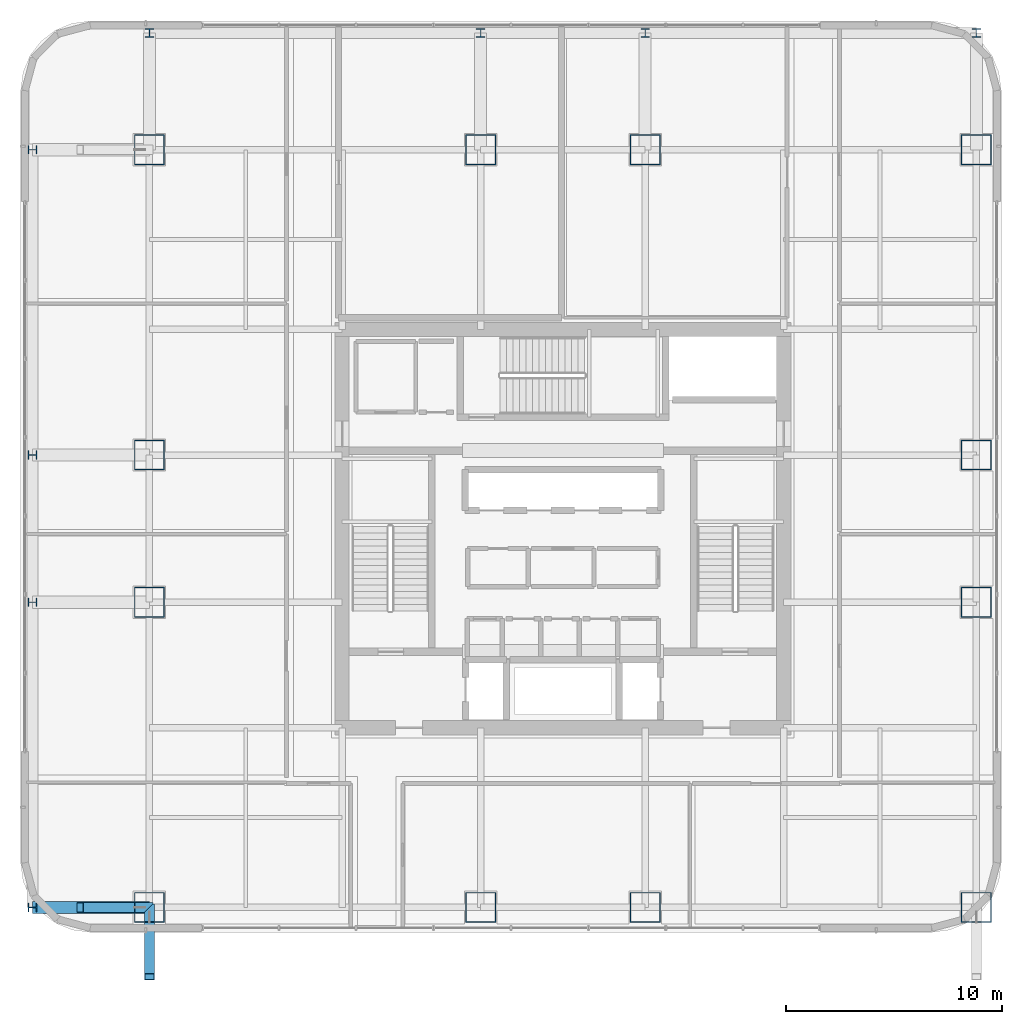
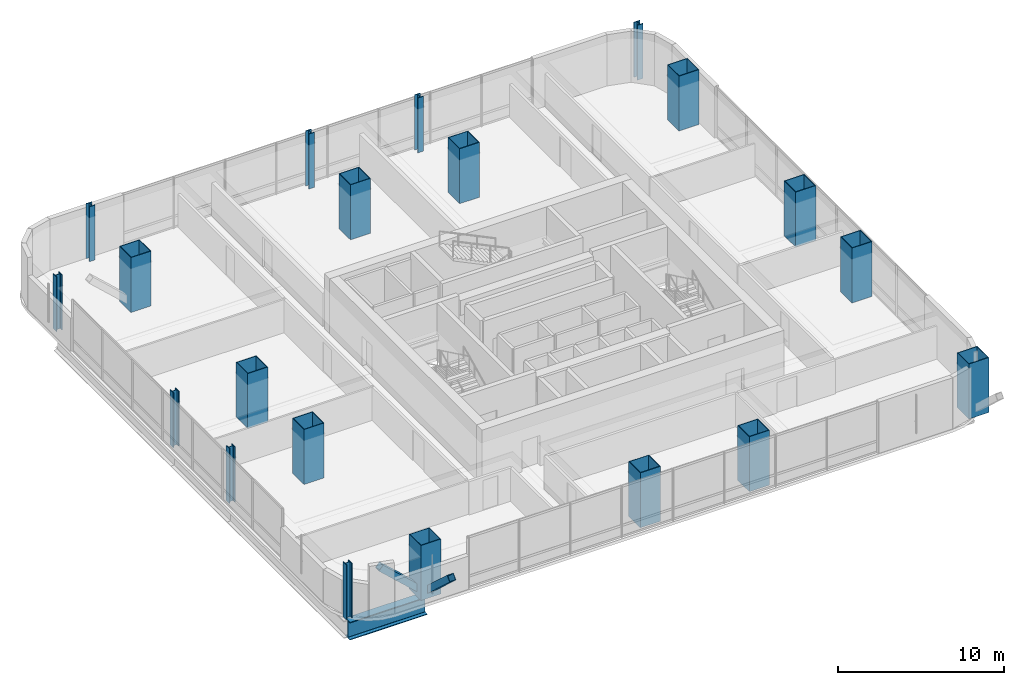
# One storey, part 1 of 47: 20 columns, 2 members, 1 beam.
"""IFC4 building model written with IfcOpenShell, lengths in metres."""

from ifc_helpers import new_model, si_unit, direction, frame, origin, origin_2d, place, context, subcontext, project, spatial, hollow_rectangle, i_section, extrude, material, material_profile, profile_set, type_object, element, save


model = new_model("IFC4")

# Units and contexts
model_context = context("Model", 3, precision=1e-05, world=origin(), true_north=direction((0.0, 1.0)))
body_context = subcontext(model_context, "Body", "Model", "MODEL_VIEW")
ifc_project = project(units=[si_unit("LENGTHUNIT", "METRE"), si_unit("AREAUNIT", "SQUARE_METRE"), si_unit("VOLUMEUNIT", "CUBIC_METRE"), si_unit("PLANEANGLEUNIT", "RADIAN"), si_unit("MASSUNIT", "GRAM", prefix="KILO")], contexts=[model_context])

# Site, building, storey
site_placement = place(None, origin())
site = spatial("IfcSite", under=ifc_project, at=site_placement, CompositionType="ELEMENT")
building_placement = place(site_placement, origin())
building = spatial("IfcBuilding", under=site, at=building_placement, Name="Punatoya Terracotta Tower", CompositionType="ELEMENT")
storey_placement = place(building_placement, frame((0.0, 0.0, 168.14990234375)))
storey = spatial("IfcBuildingStorey", under=building, at=storey_placement, Name="L39", CompositionType="ELEMENT", Elevation=168.14990234375)

# Columns
ifc_material = material(Name="Steel S460", Category="steel")
ifc_material_profile_1 = material_profile(ifc_material, i_section(OverallWidth=0.408935546875, OverallDepth=0.425048828125, WebThickness=0.031982421875, FlangeThickness=0.052001953125, FilletRadius=0.01806640625, at=origin_2d()))
ifc_profile_set_1 = profile_set([ifc_material_profile_1], Name="Steel S460")
column_type_1 = type_object("IfcColumnType", Name="COL-EX-M2", PredefinedType="COLUMN", material=ifc_profile_set_1)
for number, where, z_axis, x_axis, name in (
    (1, (-19.10009765625, 22.89990234375, 0.0), (0.0, 0.0, 1.0), (1.0, 0.0, 0.0), "L39 Exoskeleton Perimeter Column N1"),
    (2, (-3.800048828125, 22.89990234375, 0.0), (0.0, 0.0, 1.0), (1.0, 0.0, 0.0), "L39 Exoskeleton Perimeter Column N2"),
    (3, (3.800048828125, 22.89990234375, 0.0), (0.0, 0.0, 1.0), (1.0, 0.0, 0.0), "L39 Exoskeleton Perimeter Column N3"),
    (4, (19.10009765625, 22.89990234375, 0.0), (0.0, 0.0, 1.0), (1.0, 0.0, 0.0), "L39 Exoskeleton Perimeter Column N4"),
    (5, (-24.5, -17.5, 0.0), (0.0, 0.0, 1.0), (0.0, 1.0, 0.0), "L39 Exoskeleton Perimeter Column W1"),
    (6, (-24.5, -3.39990234375, 0.0), (0.0, 0.0, 1.0), (0.0, 1.0, 0.0), "L39 Exoskeleton Perimeter Column W2"),
    (7, (-24.5, 3.39990234375, 0.0), (0.0, 0.0, 1.0), (0.0, 1.0, 0.0), "L39 Exoskeleton Perimeter Column W3"),
    (8, (-24.5, 17.5, 0.0), (0.0, 0.0, 1.0), (0.0, 1.0, 0.0), "L39 Exoskeleton Perimeter Column W4"),
):
    element("IfcColumn", number, at=place(storey_placement, frame(where, z_axis=z_axis, x_axis=x_axis)), inside=storey, type_object=column_type_1, Name=name, PredefinedType="COLUMN", context=body_context, shape_type="SweptSolid", body=[
        extrude(i_section(OverallWidth=0.408935546875, OverallDepth=0.425048828125, WebThickness=0.031982421875, FlangeThickness=0.052001953125, FilletRadius=0.01806640625, at=origin_2d()), origin(), (0.0, 0.0, 1.0), 4.048095703125),
    ])
ifc_material_profile_2 = material_profile(ifc_material, hollow_rectangle(XDim=1.39990234375, YDim=1.39990234375, WallThickness=0.0419921875, at=origin_2d()))
ifc_profile_set_2 = profile_set([ifc_material_profile_2], Name="Steel S460")
column_type_2 = type_object("IfcColumnType", Name="COL-MC-Z2", PredefinedType="COLUMN", material=ifc_profile_set_2)
for number, where, z_axis, x_axis, name in (
    (9, (-19.10009765625, -17.5, 0.0), (0.0, 0.0, 1.0), (1.0, 0.0, 0.0), "L39 Composite Mega-Column MC-01 (3-B)"),
    (10, (-3.800048828125, -17.5, 0.0), (0.0, 0.0, 1.0), (1.0, 0.0, 0.0), "L39 Composite Mega-Column MC-02 (5-B)"),
    (11, (3.800048828125, -17.5, 0.0), (0.0, 0.0, 1.0), (1.0, 0.0, 0.0), "L39 Composite Mega-Column MC-03 (7-B)"),
    (12, (19.10009765625, -17.5, 0.0), (0.0, 0.0, 1.0), (1.0, 0.0, 0.0), "L39 Composite Mega-Column MC-04 (9-B)"),
    (13, (19.10009765625, -3.39990234375, 0.0), (0.0, 0.0, 1.0), (1.0, 0.0, 0.0), "L39 Composite Mega-Column MC-05 (9-D)"),
    (14, (19.10009765625, 3.39990234375, 0.0), (0.0, 0.0, 1.0), (1.0, 0.0, 0.0), "L39 Composite Mega-Column MC-06 (9-E)"),
    (15, (19.10009765625, 17.5, 0.0), (0.0, 0.0, 1.0), (1.0, 0.0, 0.0), "L39 Composite Mega-Column MC-07 (9-G)"),
    (16, (3.800048828125, 17.5, 0.0), (0.0, 0.0, 1.0), (1.0, 0.0, 0.0), "L39 Composite Mega-Column MC-08 (7-G)"),
    (17, (-3.800048828125, 17.5, 0.0), (0.0, 0.0, 1.0), (1.0, 0.0, 0.0), "L39 Composite Mega-Column MC-09 (5-G)"),
    (18, (-19.10009765625, 17.5, 0.0), (0.0, 0.0, 1.0), (1.0, 0.0, 0.0), "L39 Composite Mega-Column MC-10 (3-G)"),
    (19, (-19.10009765625, 3.39990234375, 0.0), (0.0, 0.0, 1.0), (1.0, 0.0, 0.0), "L39 Composite Mega-Column MC-11 (3-E)"),
    (20, (-19.10009765625, -3.39990234375, 0.0), (0.0, 0.0, 1.0), (1.0, 0.0, 0.0), "L39 Composite Mega-Column MC-12 (3-D)"),
):
    element("IfcColumn", number, at=place(storey_placement, frame(where, z_axis=z_axis, x_axis=x_axis)), inside=storey, type_object=column_type_2, Name=name, PredefinedType="COLUMN", context=body_context, shape_type="SweptSolid", body=[
        extrude(hollow_rectangle(XDim=1.39990234375, YDim=1.39990234375, WallThickness=0.0419921875, at=origin_2d()), origin(), (0.0, 0.0, 1.0), 4.050048828125),
    ])

# Beam
ifc_material_profile_3 = material_profile(ifc_material, i_section(OverallWidth=0.56005859375, OverallDepth=1.320068359375, WebThickness=0.035888671875, FlangeThickness=0.054931640625, FilletRadius=0.01806640625, at=origin_2d()))
ifc_profile_set_3 = profile_set([ifc_material_profile_3], Name="Steel S460")
beam_type = type_object("IfcBeamType", Name="BM-TG-BLK", PredefinedType="BEAM", material=ifc_profile_set_3)
beam_placement = place(storey_placement, frame((-24.5, -17.5, -0.8798828125), z_axis=(1.0, 0.0, 0.0), x_axis=(0.0, 1.0, 0.0)))
element("IfcBeam", 21, at=beam_placement, inside=storey, type_object=beam_type, Name="BM-L39-CANT-W1", PredefinedType="BEAM", context=body_context, shape_type="SweptSolid", body=[
    extrude(i_section(OverallWidth=0.56005859375, OverallDepth=1.320068359375, WebThickness=0.035888671875, FlangeThickness=0.054931640625, FilletRadius=0.01806640625, at=origin_2d()), origin(), (0.0, 0.0, 1.0), 5.39990234375),
])

# Members
ifc_material_profile_4 = material_profile(ifc_material, hollow_rectangle(XDim=0.449951171875, YDim=0.449951171875, WallThickness=0.02490234375, at=origin_2d()))
ifc_profile_set_4 = profile_set([ifc_material_profile_4], Name="Steel S460")
member_type = type_object("IfcMemberType", Name="MEM-STR-450", PredefinedType="STRUT", material=ifc_profile_set_4)
for number, where, z_axis, x_axis, name in (
    (22, (-19.10009765625, -17.5, 0.02001953125), (-0.735216213259, 0.0, 0.67783266354), (0.0, -1.0, 0.0), "L40 Cantilever Raking Knee-Strut W1"),
    (23, (-19.10009765625, -17.5, 0.02001953125), (0.0, -0.735216213259, 0.67783266354), (1.0, 0.0, 0.0), "L40 Cantilever Raking Knee-Strut S1"),
):
    element("IfcMember", number, at=place(storey_placement, frame(where, z_axis=z_axis, x_axis=x_axis)), inside=storey, type_object=member_type, Name=name, PredefinedType="STRUT", context=body_context, shape_type="SweptSolid", body=[
        extrude(hollow_rectangle(XDim=0.449951171875, YDim=0.449951171875, WallThickness=0.02490234375, at=origin_2d()), origin(), (0.0, 0.0, 1.0), 4.352294921875),
    ])

save(model, "model.ifc")
